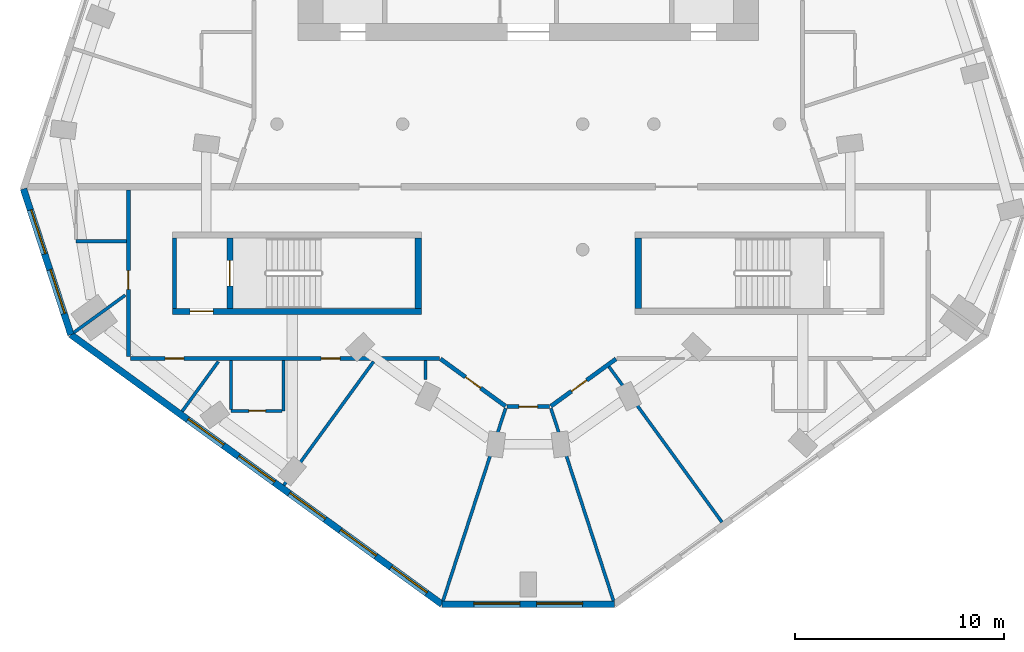
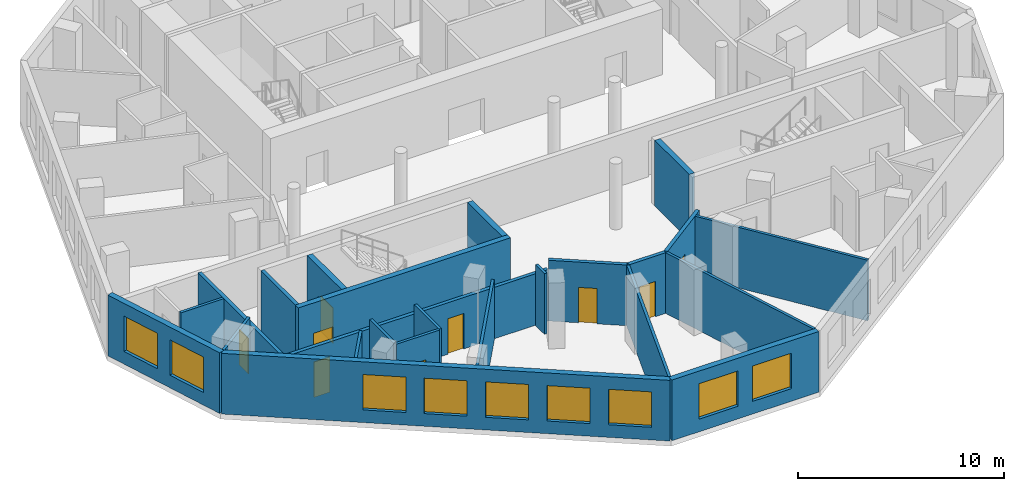
# One storey, part 2 of 9: 24 walls, 9 doors, 9 windows, 18 openings.
"""IFC4 building model written with IfcOpenShell, lengths in metres."""

import ifcopenshell
import ifcopenshell.guid

model = None  # the IFC model being written
_history = None  # IfcOwnerHistory: only IFC2X3 demands one
_inside = {}  # id of a spatial element -> (the spatial element, [elements in it])
_under = {}  # id of a project, library or spatial element -> (it, [spatial elements below it])
_declared = {}  # id of a project -> (the project, [libraries it declares])
_typed = {}  # id of a type object -> (the type object, [elements of that type])
_made_of = {}  # id of a material, layer set ... -> (it, [elements and type objects made of it])


def new_model(schema):
    """Start an empty IFC model of exactly this schema.

    Asked for "IFC4X3", IfcOpenShell would pick the latest addendum, in which some entities
    have other attributes; the version numbers below select the first issue.
    IFC2X3 requires an IfcOwnerHistory on every rooted entity: one is made here for all.
    """
    global model, _history
    if schema == "IFC4X3":
        model = ifcopenshell.file(schema_version=(4, 3, 0, 0))
    else:
        model = ifcopenshell.file(schema=schema)
    _inside.clear()
    _under.clear()
    _declared.clear()
    _typed.clear()
    _made_of.clear()
    _history = None
    if model.schema == "IFC2X3":
        org = make("IfcOrganization", Name="unknown")
        user = make(
            "IfcPersonAndOrganization",
            ThePerson=make("IfcPerson", FamilyName="unknown"),
            TheOrganization=org,
        )
        app = make(
            "IfcApplication",
            ApplicationDeveloper=org,
            Version="unknown",
            ApplicationFullName="unknown",
            ApplicationIdentifier="unknown",
        )
        _history = make(
            "IfcOwnerHistory",
            OwningUser=user,
            OwningApplication=app,
            ChangeAction="ADDED",
            CreationDate=0,
        )
    return model


def make(cls, **values):
    """One entity of the class cls with the attributes given. An attribute that is None is left unset."""
    return model.create_entity(
        cls, **{name: value for name, value in values.items() if value is not None}
    )


def rooted(cls, **values):
    """An entity with a GlobalId (a new one), such as an element, a storey or a relation."""
    return make(cls, GlobalId=ifcopenshell.guid.new(), OwnerHistory=_history, **values)


def si_unit(unit_type, name, prefix=None):
    """IfcSIUnit, for example si_unit("LENGTHUNIT", "METRE", prefix="MILLI")."""
    return make("IfcSIUnit", UnitType=unit_type, Prefix=prefix, Name=name)


def assignment(units):
    """IfcUnitAssignment: the units of a project."""
    return None if units is None else make("IfcUnitAssignment", Units=units)


def point(xyz):
    """IfcCartesianPoint."""
    return None if xyz is None else make("IfcCartesianPoint", Coordinates=xyz)


def direction(xyz):
    """IfcDirection."""
    return None if xyz is None else make("IfcDirection", DirectionRatios=xyz)


def frame(location, z_axis=None, x_axis=None):
    """IfcAxis2Placement3D, a coordinate frame: its origin and axes. An axis left out is left unset."""
    return make(
        "IfcAxis2Placement3D",
        Location=point(location),
        Axis=direction(z_axis),
        RefDirection=direction(x_axis),
    )


def frame_2d(location, x_axis=None):
    """IfcAxis2Placement2D, a coordinate frame in the plane: its origin and x axis."""
    return make(
        "IfcAxis2Placement2D", Location=point(location), RefDirection=direction(x_axis)
    )


def origin():
    """The frame at (0, 0, 0) with its axes left unset."""
    return frame((0.0, 0.0, 0.0))


def place(relative_to, where):
    """IfcLocalPlacement: puts the frame where relative to a parent placement (None: the world)."""
    return make(
        "IfcLocalPlacement", PlacementRelTo=relative_to, RelativePlacement=where
    )


def context(
    kind, dimensions, precision=None, world=None, true_north=None, identifier=None
):
    """IfcGeometricRepresentationContext, for example the 3D "Model" context."""
    return make(
        "IfcGeometricRepresentationContext",
        ContextIdentifier=identifier,
        ContextType=kind,
        CoordinateSpaceDimension=dimensions,
        Precision=precision,
        WorldCoordinateSystem=world,
        TrueNorth=true_north,
    )


def subcontext(parent, identifier, kind, view, scale=None):
    """IfcGeometricRepresentationSubContext, for example "Body" below "Model"."""
    return make(
        "IfcGeometricRepresentationSubContext",
        ContextIdentifier=identifier,
        ContextType=kind,
        ParentContext=parent,
        TargetScale=scale,
        TargetView=view,
    )


def project(units=None, contexts=None):
    """IfcProject with its units and contexts."""
    return rooted(
        "IfcProject",
        Name="project",
        RepresentationContexts=contexts,
        UnitsInContext=assignment(units),
    )


def spatial(cls, under=None, at=None, **own):
    """A site, building, storey or space (cls), placed at a placement, below another one or the project."""
    s = rooted(cls, ObjectPlacement=at, **own)
    if under is not None:
        _under.setdefault(under.id(), (under, []))[1].append(s)
    return s


def profile(cls, at=None, kind="AREA", **sizes):
    """A parametric profile (cls). Its sizes go by their IFC names, for example OverallWidth=200.0."""
    return make(cls, ProfileType=kind, Position=at, **sizes)


def rectangle(**sizes):
    """IfcRectangleProfileDef."""
    return profile("IfcRectangleProfileDef", **sizes)


def extrude(swept, where, along, depth):
    """IfcExtrudedAreaSolid: the profile swept, set in the frame where, extruded along a direction by depth."""
    return make(
        "IfcExtrudedAreaSolid",
        SweptArea=swept,
        Position=where,
        ExtrudedDirection=direction(along),
        Depth=depth,
    )


def shape(context_of_items, identifier, shape_type, items):
    """IfcShapeRepresentation: the items that make up one representation, for example the "Body"."""
    return make(
        "IfcShapeRepresentation",
        ContextOfItems=context_of_items,
        RepresentationIdentifier=identifier,
        RepresentationType=shape_type,
        Items=items,
    )


def material(Name=None, Category=None):
    """IfcMaterial."""
    return make("IfcMaterial", Name=Name, Category=Category)


def layer(
    of_material, thickness, ventilated=None, Name=None, Category=None, Priority=None
):
    """IfcMaterialLayer: one layer of a wall or slab, of a material (None: an air gap)."""
    return make(
        "IfcMaterialLayer",
        Material=of_material,
        LayerThickness=thickness,
        IsVentilated=ventilated,
        Name=Name,
        Category=Category,
        Priority=Priority,
    )


def layer_set(layers, Name=None):
    """IfcMaterialLayerSet."""
    return make("IfcMaterialLayerSet", MaterialLayers=layers, LayerSetName=Name)


def made_of(thing, what):
    """Note that an element or type object is made of a material, layer set ...; save() writes the relation."""
    if what is not None:
        _made_of.setdefault(what.id(), (what, []))[1].append(thing)
    return thing


def type_object(cls, material=None, **own):
    """A type object (cls), such as IfcWallType, which elements share."""
    return made_of(rooted(cls, **own), material)


def element(
    cls,
    number,
    at=None,
    inside=None,
    cuts=None,
    type_object=None,
    material=None,
    context=None,
    identifier="Body",
    shape_type=None,
    held_by="IfcProductDefinitionShape",
    body=None,
    shapes=None,
    **own,
):
    """One element of the class cls, such as IfcWall. Its Tag is "e" and its number.

    at: its placement. inside: the storey or other place that contains it. cuts: it is an
    opening in that element (IfcRelVoidsElement). A single representation is given by context,
    identifier, shape_type and body (its items); several are given by shapes. held_by: the class
    of the entity that holds the representations. save() writes the other relations.
    """
    e = rooted(cls, Tag="e%d" % number, ObjectPlacement=at, **own)
    if body is not None:
        shapes = [shape(context, identifier, shape_type, body)]
    if shapes is not None:
        e.Representation = make(held_by, Representations=shapes)
    if inside is not None:
        _inside.setdefault(inside.id(), (inside, []))[1].append(e)
    if cuts is not None:
        rooted(
            "IfcRelVoidsElement", RelatingBuildingElement=cuts, RelatedOpeningElement=e
        )
    if type_object is not None:
        _typed.setdefault(type_object.id(), (type_object, []))[1].append(e)
    return made_of(e, material)


def fill(opening, filler):
    """IfcRelFillsElement: the door or window that sits in an opening."""
    return rooted(
        "IfcRelFillsElement",
        RelatingOpeningElement=opening,
        RelatedBuildingElement=filler,
    )


def aggregate(whole, parts):
    """IfcRelAggregates: a whole, such as a stair, and the parts it consists of."""
    return rooted("IfcRelAggregates", RelatingObject=whole, RelatedObjects=parts)


def save(model, path):
    """Write the relations noted so far, then the file.

    IfcRelAggregates (storeys below a building ...), IfcRelContainedInSpatialStructure (elements
    in a storey), IfcRelDefinesByType, IfcRelAssociatesMaterial and IfcRelDeclares: one each for
    every whole, place, type object, material and project.
    """
    for whole, parts in _under.values():
        aggregate(whole, parts)
    for where, things in _inside.values():
        rooted(
            "IfcRelContainedInSpatialStructure",
            RelatedElements=things,
            RelatingStructure=where,
        )
    for kind, things in _typed.values():
        rooted("IfcRelDefinesByType", RelatedObjects=things, RelatingType=kind)
    for what, things in _made_of.values():
        rooted("IfcRelAssociatesMaterial", RelatedObjects=things, RelatingMaterial=what)
    for by, libraries in _declared.values():
        rooted("IfcRelDeclares", RelatingContext=by, RelatedDefinitions=libraries)
    model.write(path)


model = new_model("IFC4")

# Units and contexts
model_context = context("Model", 3, precision=1e-05, world=origin(), true_north=direction((0.0, 1.0)))
body_context = subcontext(model_context, "Body", "Model", "MODEL_VIEW")
ifc_project = project(units=[si_unit("LENGTHUNIT", "METRE"), si_unit("AREAUNIT", "SQUARE_METRE"), si_unit("VOLUMEUNIT", "CUBIC_METRE"), si_unit("PLANEANGLEUNIT", "RADIAN"), si_unit("MASSUNIT", "GRAM", prefix="KILO")], contexts=[model_context])

# Site, building, storey
site_placement = place(None, origin())
site = spatial("IfcSite", under=ifc_project, at=site_placement, CompositionType="ELEMENT")
building_placement = place(site_placement, origin())
building = spatial("IfcBuilding", under=site, at=building_placement, Name="White Candle Pilgrim Tower", CompositionType="ELEMENT")
storey_placement = place(building_placement, frame((0.0, 0.0, 239.39990234375)))
storey = spatial("IfcBuildingStorey", under=building, at=storey_placement, Name="L56", CompositionType="ELEMENT", Elevation=239.39990234375)

# Wall
ifc_material_1 = material(Name="Concrete C50/60", Category="concrete")
ifc_layer_1 = layer(ifc_material_1, 0.199951171875)
ifc_layer_set_1 = layer_set([ifc_layer_1], Name="Core wall 200 mm Concrete C50/60")
wall_type_1 = type_object("IfcWallType", Name="Core wall 200 mm Concrete C50/60", PredefinedType="SHEAR", material=ifc_layer_set_1)
wall_1_placement = place(storey_placement, frame((53.10009765625, 58.199951171875, 0.0), z_axis=(0.0, 0.0, 1.0), x_axis=(0.0, 1.0, 0.0)))
element("IfcWall", 1, at=wall_1_placement, inside=storey, type_object=wall_type_1, Name="WL-L56-C03", PredefinedType="SHEAR", context=body_context, shape_type="SweptSolid", body=[
    extrude(rectangle(XDim=3.35009765625, YDim=0.199951171875, at=frame_2d((1.675048828125, 0.0))), origin(), (0.0, 0.0, 1.0), 3.900146484375),
])

# Wall, opening, door
ifc_material_2 = material(Name="Gypsum board on steel studs", Category="steel")
ifc_layer_2 = layer(ifc_material_2, 0.199951171875)
ifc_layer_set_2 = layer_set([ifc_layer_2], Name="Corridor wall 200 mm EI 45")
wall_type_2 = type_object("IfcWallType", Name="Corridor wall 200 mm EI 45", PredefinedType="PARTITIONING", material=ifc_layer_set_2)
wall_2_placement = place(storey_placement, frame((74.18994140625, 55.781005859375, 0.0), z_axis=(0.0, 0.0, 1.0), x_axis=(-0.809008130168, -0.587797452633, 0.0)))
wall_2 = element("IfcWall", 2, at=wall_2_placement, inside=storey, type_object=wall_type_2, Name="WL-L56-P008", PredefinedType="PARTITIONING", context=body_context, shape_type="SweptSolid", body=[
    extrude(rectangle(XDim=3.8408203125, YDim=0.199951171875, at=frame_2d((1.92041015625, 0.0))), origin(), (0.0, 0.0, 1.0), 3.60009765625),
])
opening_1_placement = place(wall_2_placement, frame((1.730712890625, 0.0, 0.0)))
opening_1 = element("IfcOpeningElement", 3, at=opening_1_placement, cuts=wall_2, Name="Opening T17-110", PredefinedType="OPENING", context=body_context, shape_type="SweptSolid", body=[
    extrude(rectangle(XDim=0.89990234375, YDim=2.10009765625, at=frame_2d((0.449951171875, 1.050048828125))), frame((0.0, 0.10986328125, 0.0), z_axis=(0.0, -1.0, 0.0), x_axis=(1.0, 0.0, 0.0)), (0.0, 0.0, 1.0), 0.219970703125),
])
ifc_material_3 = material(Name="Steel door leaf", Category="steel")
door_type_1 = type_object("IfcDoorType", Name="Fire door 900 x 2100 EI 30", OperationType="NOTDEFINED", PredefinedType="DOOR", material=ifc_material_3)
door_1_placement = place(opening_1_placement, origin())
door_1 = element("IfcDoor", 4, at=door_1_placement, inside=storey, type_object=door_type_1, Name="Door T17-110", OperationType="SINGLE_SWING_RIGHT", OverallHeight=2.10009765625, OverallWidth=0.89990234375, PredefinedType="DOOR", context=body_context, shape_type="SweptSolid", body=[
    extrude(rectangle(XDim=0.89990234375, YDim=2.10009765625, at=frame_2d((0.449951171875, 1.050048828125))), frame((0.0, 0.02490234375, 0.0), z_axis=(0.0, -1.0, 0.0), x_axis=(1.0, 0.0, 0.0)), (0.0, 0.0, 1.0), 0.050048828125),
])
fill(opening_1, door_1)

wall_3_placement = place(storey_placement, frame((71.02392578125, 53.50439453125, 0.0), z_axis=(0.0, 0.0, 1.0), x_axis=(-1.0, 0.0, 0.0)))
wall_3 = element("IfcWall", 5, at=wall_3_placement, inside=storey, type_object=wall_type_2, Name="WL-L56-P009", PredefinedType="PARTITIONING", context=body_context, shape_type="SweptSolid", body=[
    extrude(rectangle(XDim=2.0478515625, YDim=0.199951171875, at=frame_2d((1.02392578125, 0.0))), origin(), (0.0, 0.0, 1.0), 3.60009765625),
])
opening_2_placement = place(wall_3_placement, frame((0.573974609375, 0.0, 0.0)))
opening_2 = element("IfcOpeningElement", 6, at=opening_2_placement, cuts=wall_3, Name="Opening T17-109", PredefinedType="OPENING", context=body_context, shape_type="SweptSolid", body=[
    extrude(rectangle(XDim=0.89990234375, YDim=2.10009765625, at=frame_2d((0.449951171875, 1.050048828125))), frame((0.0, 0.10986328125, 0.0), z_axis=(0.0, -1.0, 0.0), x_axis=(1.0, 0.0, 0.0)), (0.0, 0.0, 1.0), 0.219970703125),
])
door_2_placement = place(opening_2_placement, origin())
door_2 = element("IfcDoor", 7, at=door_2_placement, inside=storey, type_object=door_type_1, Name="Door T17-109", OperationType="SINGLE_SWING_LEFT", OverallHeight=2.10009765625, OverallWidth=0.89990234375, PredefinedType="DOOR", context=body_context, shape_type="SweptSolid", body=[
    extrude(rectangle(XDim=0.89990234375, YDim=2.10009765625, at=frame_2d((0.449951171875, 1.050048828125))), frame((0.0, 0.02490234375, 0.0), z_axis=(0.0, -1.0, 0.0), x_axis=(1.0, 0.0, 0.0)), (0.0, 0.0, 1.0), 0.050048828125),
])
fill(opening_2, door_2)

wall_4_placement = place(storey_placement, frame((68.917236328125, 53.5234375, 0.0), z_axis=(0.0, 0.0, 1.0), x_axis=(-0.809008130168, 0.587797452633, 0.0)))
wall_4 = element("IfcWall", 8, at=wall_4_placement, inside=storey, type_object=wall_type_2, Name="WL-L56-P010", PredefinedType="PARTITIONING", context=body_context, shape_type="SweptSolid", body=[
    extrude(rectangle(XDim=3.8408203125, YDim=0.199951171875, at=frame_2d((1.92041015625, 0.0))), origin(), (0.0, 0.0, 1.0), 3.60009765625),
])
opening_3_placement = place(wall_4_placement, frame((1.47021484375, 0.0, 0.0)))
opening_3 = element("IfcOpeningElement", 9, at=opening_3_placement, cuts=wall_4, Name="Opening T17-108", PredefinedType="OPENING", context=body_context, shape_type="SweptSolid", body=[
    extrude(rectangle(XDim=0.89990234375, YDim=2.10009765625, at=frame_2d((0.449951171875, 1.050048828125))), frame((0.0, 0.10986328125, 0.0), z_axis=(0.0, -1.0, 0.0), x_axis=(1.0, 0.0, 0.0)), (0.0, 0.0, 1.0), 0.219970703125),
])
door_3_placement = place(opening_3_placement, origin())
door_3 = element("IfcDoor", 10, at=door_3_placement, inside=storey, type_object=door_type_1, Name="Door T17-108", OperationType="SINGLE_SWING_RIGHT", OverallHeight=2.10009765625, OverallWidth=0.89990234375, PredefinedType="DOOR", context=body_context, shape_type="SweptSolid", body=[
    extrude(rectangle(XDim=0.89990234375, YDim=2.10009765625, at=frame_2d((0.449951171875, 1.050048828125))), frame((0.0, 0.02490234375, 0.0), z_axis=(0.0, -1.0, 0.0), x_axis=(1.0, 0.0, 0.0)), (0.0, 0.0, 1.0), 0.050048828125),
])
fill(opening_3, door_3)

# Wall, openings, doors
wall_5_placement = place(storey_placement, frame((65.751220703125, 55.800048828125, 0.0), z_axis=(0.0, 0.0, 1.0), x_axis=(-1.0, 0.0, 0.0)))
wall_5 = element("IfcWall", 11, at=wall_5_placement, inside=storey, type_object=wall_type_2, Name="WL-L56-P011", PredefinedType="PARTITIONING", context=body_context, shape_type="SweptSolid", body=[
    extrude(rectangle(XDim=14.751220703125, YDim=0.199951171875, at=frame_2d((7.37548828125, 0.0))), origin(), (0.0, 0.0, 1.0), 3.050048828125),
])
opening_4_placement = place(wall_5_placement, frame((12.19970703125, 0.0, 0.0)))
opening_4 = element("IfcOpeningElement", 12, at=opening_4_placement, cuts=wall_5, Name="Opening T17-105", PredefinedType="OPENING", context=body_context, shape_type="SweptSolid", body=[
    extrude(rectangle(XDim=0.89990234375, YDim=2.10009765625, at=frame_2d((0.449951171875, 1.050048828125))), frame((0.0, 0.10986328125, 0.0), z_axis=(0.0, -1.0, 0.0), x_axis=(1.0, 0.0, 0.0)), (0.0, 0.0, 1.0), 0.219970703125),
])
opening_5_placement = place(wall_5_placement, frame((4.739990234375, 0.0, 0.0)))
opening_5 = element("IfcOpeningElement", 13, at=opening_5_placement, cuts=wall_5, Name="Opening T17-107", PredefinedType="OPENING", context=body_context, shape_type="SweptSolid", body=[
    extrude(rectangle(XDim=0.89990234375, YDim=2.10009765625, at=frame_2d((0.449951171875, 1.050048828125))), frame((0.0, 0.10986328125, 0.0), z_axis=(0.0, -1.0, 0.0), x_axis=(1.0, 0.0, 0.0)), (0.0, 0.0, 1.0), 0.219970703125),
])
door_4_placement = place(opening_4_placement, origin())
door_4 = element("IfcDoor", 14, at=door_4_placement, inside=storey, type_object=door_type_1, Name="Door T17-105", OperationType="SINGLE_SWING_LEFT", OverallHeight=2.10009765625, OverallWidth=0.89990234375, PredefinedType="DOOR", context=body_context, shape_type="SweptSolid", body=[
    extrude(rectangle(XDim=0.89990234375, YDim=2.10009765625, at=frame_2d((0.449951171875, 1.050048828125))), frame((0.0, 0.02490234375, 0.0), z_axis=(0.0, -1.0, 0.0), x_axis=(1.0, 0.0, 0.0)), (0.0, 0.0, 1.0), 0.050048828125),
])
fill(opening_4, door_4)
door_5_placement = place(opening_5_placement, origin())
door_5 = element("IfcDoor", 15, at=door_5_placement, inside=storey, type_object=door_type_1, Name="Door T17-107", OperationType="SINGLE_SWING_LEFT", OverallHeight=2.10009765625, OverallWidth=0.89990234375, PredefinedType="DOOR", context=body_context, shape_type="SweptSolid", body=[
    extrude(rectangle(XDim=0.89990234375, YDim=2.10009765625, at=frame_2d((0.449951171875, 1.050048828125))), frame((0.0, 0.02490234375, 0.0), z_axis=(0.0, -1.0, 0.0), x_axis=(1.0, 0.0, 0.0)), (0.0, 0.0, 1.0), 0.050048828125),
])
fill(opening_5, door_5)

# Wall, opening, door
wall_6_placement = place(storey_placement, frame((50.89990234375, 55.89990234375, 0.0), z_axis=(0.0, 0.0, 1.0), x_axis=(0.0, 1.0, 0.0)))
wall_6 = element("IfcWall", 16, at=wall_6_placement, inside=storey, type_object=wall_type_2, Name="WL-L56-P012", PredefinedType="PARTITIONING", context=body_context, shape_type="SweptSolid", body=[
    extrude(rectangle(XDim=7.9501953125, YDim=0.199951171875, at=frame_2d((3.97509765625, 0.0))), origin(), (0.0, 0.0, 1.0), 3.150146484375),
])
opening_6_placement = place(wall_6_placement, frame((3.203369140625, 0.0, 0.0)))
opening_6 = element("IfcOpeningElement", 17, at=opening_6_placement, cuts=wall_6, Name="Opening T17-104", PredefinedType="OPENING", context=body_context, shape_type="SweptSolid", body=[
    extrude(rectangle(XDim=0.89990234375, YDim=2.10009765625, at=frame_2d((0.449951171875, 1.050048828125))), frame((0.0, 0.10986328125, 0.0), z_axis=(0.0, -1.0, 0.0), x_axis=(1.0, 0.0, 0.0)), (0.0, 0.0, 1.0), 0.219970703125),
])
door_6_placement = place(opening_6_placement, origin())
door_6 = element("IfcDoor", 18, at=door_6_placement, inside=storey, type_object=door_type_1, Name="Door T17-104", OperationType="SINGLE_SWING_RIGHT", OverallHeight=2.10009765625, OverallWidth=0.89990234375, PredefinedType="DOOR", context=body_context, shape_type="SweptSolid", body=[
    extrude(rectangle(XDim=0.89990234375, YDim=2.10009765625, at=frame_2d((0.449951171875, 1.050048828125))), frame((0.0, 0.02490234375, 0.0), z_axis=(0.0, -1.0, 0.0), x_axis=(1.0, 0.0, 0.0)), (0.0, 0.0, 1.0), 0.050048828125),
])
fill(opening_6, door_6)

# Wall, openings, windows
ifc_material_4 = material(Name="Precast concrete C40/50", Category="concrete")
ifc_layer_3 = layer(ifc_material_4, 0.320068359375)
ifc_layer_set_3 = layer_set([ifc_layer_3], Name="Facade wall EW1 precast concrete C40/50 pier wall with timber-lined reveals")
wall_type_3 = type_object("IfcWallType", Name="Facade wall EW1 precast concrete C40/50 pier wall with timber-lined reveals", PredefinedType="SOLIDWALL", material=ifc_layer_set_3)
wall_7_placement = place(storey_placement, frame((45.8935546875, 63.900390625, 0.0), z_axis=(0.0, 0.0, 1.0), x_axis=(0.309034031294, -0.951050980496, 0.0)))
wall_7 = element("IfcWall", 19, at=wall_7_placement, inside=storey, type_object=wall_type_3, Name="Facade wall L56 W chamfer", PredefinedType="SOLIDWALL", context=body_context, shape_type="SweptSolid", body=[
    extrude(rectangle(XDim=7.319580078125, YDim=0.320068359375, at=frame_2d((3.65966796875, 0.0))), origin(), (0.0, 0.0, 1.0), 3.60009765625),
])
opening_7_placement = place(wall_7_placement, frame((1.059814453125, 0.0, 0.75)))
opening_7 = element("IfcOpeningElement", 20, at=opening_7_placement, cuts=wall_7, Name="Opening W4", PredefinedType="OPENING", context=body_context, shape_type="SweptSolid", body=[
    extrude(rectangle(XDim=2.199951171875, YDim=2.10009765625, at=frame_2d((1.10009765625, 1.050048828125))), frame((0.0, 0.169921875, 0.0), z_axis=(0.0, -1.0, 0.0), x_axis=(1.0, 0.0, 0.0)), (0.0, 0.0, 1.0), 0.340087890625),
])
opening_8_placement = place(wall_7_placement, frame((4.059814453125, 0.0, 0.75)))
opening_8 = element("IfcOpeningElement", 21, at=opening_8_placement, cuts=wall_7, Name="Opening W4", PredefinedType="OPENING", context=body_context, shape_type="SweptSolid", body=[
    extrude(rectangle(XDim=2.199951171875, YDim=2.10009765625, at=frame_2d((1.10009765625, 1.050048828125))), frame((0.0, 0.169921875, 0.0), z_axis=(0.0, -1.0, 0.0), x_axis=(1.0, 0.0, 0.0)), (0.0, 0.0, 1.0), 0.340087890625),
])
ifc_material_5 = material(Name="Timber frame with triple glazing", Category="wood")
window_type_1 = type_object("IfcWindowType", Name="Window W4 2200x2100 timber frame triple glazing", PartitioningType="SINGLE_PANEL", PredefinedType="WINDOW", material=ifc_material_5)
window_1_placement = place(opening_7_placement, origin())
window_1 = element("IfcWindow", 22, at=window_1_placement, inside=storey, type_object=window_type_1, Name="Window W4 L56 W chamfer 1", OverallHeight=2.10009765625, OverallWidth=2.199951171875, PartitioningType="SINGLE_PANEL", PredefinedType="WINDOW", context=body_context, shape_type="SweptSolid", body=[
    extrude(rectangle(XDim=2.199951171875, YDim=2.10009765625, at=frame_2d((1.10009765625, 1.050048828125))), frame((0.0, 0.070068359375, 0.0), z_axis=(0.0, -1.0, 0.0), x_axis=(1.0, 0.0, 0.0)), (0.0, 0.0, 1.0), 0.06005859375),
])
fill(opening_7, window_1)
window_2_placement = place(opening_8_placement, origin())
window_2 = element("IfcWindow", 23, at=window_2_placement, inside=storey, type_object=window_type_1, Name="Window W4 L56 W chamfer 2", OverallHeight=2.10009765625, OverallWidth=2.199951171875, PartitioningType="SINGLE_PANEL", PredefinedType="WINDOW", context=body_context, shape_type="SweptSolid", body=[
    extrude(rectangle(XDim=2.199951171875, YDim=2.10009765625, at=frame_2d((1.10009765625, 1.050048828125))), frame((0.0, 0.070068359375, 0.0), z_axis=(0.0, -1.0, 0.0), x_axis=(1.0, 0.0, 0.0)), (0.0, 0.0, 1.0), 0.06005859375),
])
fill(opening_8, window_2)

wall_8_placement = place(storey_placement, frame((48.155517578125, 56.939208984375, 0.0), z_axis=(0.0, 0.0, 1.0), x_axis=(0.809013617361, -0.587789900325, 0.0)))
wall_8 = element("IfcWall", 24, at=wall_8_placement, inside=storey, type_object=wall_type_3, Name="Facade wall L56 SW", PredefinedType="SOLIDWALL", context=body_context, shape_type="SweptSolid", body=[
    extrude(rectangle(XDim=21.904052734375, YDim=0.320068359375, at=frame_2d((10.9521484375, 0.0))), origin(), (0.0, 0.0, 1.0), 3.60009765625),
])
opening_9_placement = place(wall_8_placement, frame((6.902099609375, 0.0, 0.75)))
opening_9 = element("IfcOpeningElement", 25, at=opening_9_placement, cuts=wall_8, Name="Opening W3", PredefinedType="OPENING", context=body_context, shape_type="SweptSolid", body=[
    extrude(rectangle(XDim=2.10009765625, YDim=2.10009765625, at=frame_2d((1.050048828125, 1.050048828125))), frame((0.0, 0.169921875, 0.0), z_axis=(0.0, -1.0, 0.0), x_axis=(1.0, 0.0, 0.0)), (0.0, 0.0, 1.0), 0.340087890625),
])
opening_10_placement = place(wall_8_placement, frame((9.902099609375, 0.0, 0.75)))
opening_10 = element("IfcOpeningElement", 26, at=opening_10_placement, cuts=wall_8, Name="Opening W3", PredefinedType="OPENING", context=body_context, shape_type="SweptSolid", body=[
    extrude(rectangle(XDim=2.10009765625, YDim=2.10009765625, at=frame_2d((1.050048828125, 1.050048828125))), frame((0.0, 0.169921875, 0.0), z_axis=(0.0, -1.0, 0.0), x_axis=(1.0, 0.0, 0.0)), (0.0, 0.0, 1.0), 0.340087890625),
])
opening_11_placement = place(wall_8_placement, frame((12.902099609375, 0.0, 0.75)))
opening_11 = element("IfcOpeningElement", 27, at=opening_11_placement, cuts=wall_8, Name="Opening W3", PredefinedType="OPENING", context=body_context, shape_type="SweptSolid", body=[
    extrude(rectangle(XDim=2.10009765625, YDim=2.10009765625, at=frame_2d((1.050048828125, 1.050048828125))), frame((0.0, 0.169921875, 0.0), z_axis=(0.0, -1.0, 0.0), x_axis=(1.0, 0.0, 0.0)), (0.0, 0.0, 1.0), 0.340087890625),
])
opening_12_placement = place(wall_8_placement, frame((15.902099609375, 0.0, 0.75)))
opening_12 = element("IfcOpeningElement", 28, at=opening_12_placement, cuts=wall_8, Name="Opening W3", PredefinedType="OPENING", context=body_context, shape_type="SweptSolid", body=[
    extrude(rectangle(XDim=2.10009765625, YDim=2.10009765625, at=frame_2d((1.050048828125, 1.050048828125))), frame((0.0, 0.169921875, 0.0), z_axis=(0.0, -1.0, 0.0), x_axis=(1.0, 0.0, 0.0)), (0.0, 0.0, 1.0), 0.340087890625),
])
opening_13_placement = place(wall_8_placement, frame((18.902099609375, 0.0, 0.75)))
opening_13 = element("IfcOpeningElement", 29, at=opening_13_placement, cuts=wall_8, Name="Opening W3", PredefinedType="OPENING", context=body_context, shape_type="SweptSolid", body=[
    extrude(rectangle(XDim=2.10009765625, YDim=2.10009765625, at=frame_2d((1.050048828125, 1.050048828125))), frame((0.0, 0.169921875, 0.0), z_axis=(0.0, -1.0, 0.0), x_axis=(1.0, 0.0, 0.0)), (0.0, 0.0, 1.0), 0.340087890625),
])
window_type_2 = type_object("IfcWindowType", Name="Window W3 2100x2100 timber frame triple glazing", PartitioningType="SINGLE_PANEL", PredefinedType="WINDOW", material=ifc_material_5)
window_3_placement = place(opening_9_placement, origin())
window_3 = element("IfcWindow", 30, at=window_3_placement, inside=storey, type_object=window_type_2, Name="Window W3 L56 SW 3", OverallHeight=2.10009765625, OverallWidth=2.10009765625, PartitioningType="SINGLE_PANEL", PredefinedType="WINDOW", context=body_context, shape_type="SweptSolid", body=[
    extrude(rectangle(XDim=2.10009765625, YDim=2.10009765625, at=frame_2d((1.050048828125, 1.050048828125))), frame((0.0, 0.070068359375, 0.0), z_axis=(0.0, -1.0, 0.0), x_axis=(1.0, 0.0, 0.0)), (0.0, 0.0, 1.0), 0.06005859375),
])
fill(opening_9, window_3)
window_4_placement = place(opening_10_placement, origin())
window_4 = element("IfcWindow", 31, at=window_4_placement, inside=storey, type_object=window_type_2, Name="Window W3 L56 SW 4", OverallHeight=2.10009765625, OverallWidth=2.10009765625, PartitioningType="SINGLE_PANEL", PredefinedType="WINDOW", context=body_context, shape_type="SweptSolid", body=[
    extrude(rectangle(XDim=2.10009765625, YDim=2.10009765625, at=frame_2d((1.050048828125, 1.050048828125))), frame((0.0, 0.070068359375, 0.0), z_axis=(0.0, -1.0, 0.0), x_axis=(1.0, 0.0, 0.0)), (0.0, 0.0, 1.0), 0.06005859375),
])
fill(opening_10, window_4)
window_5_placement = place(opening_11_placement, origin())
window_5 = element("IfcWindow", 32, at=window_5_placement, inside=storey, type_object=window_type_2, Name="Window W3 L56 SW 5", OverallHeight=2.10009765625, OverallWidth=2.10009765625, PartitioningType="SINGLE_PANEL", PredefinedType="WINDOW", context=body_context, shape_type="SweptSolid", body=[
    extrude(rectangle(XDim=2.10009765625, YDim=2.10009765625, at=frame_2d((1.050048828125, 1.050048828125))), frame((0.0, 0.070068359375, 0.0), z_axis=(0.0, -1.0, 0.0), x_axis=(1.0, 0.0, 0.0)), (0.0, 0.0, 1.0), 0.06005859375),
])
fill(opening_11, window_5)
window_6_placement = place(opening_12_placement, origin())
window_6 = element("IfcWindow", 33, at=window_6_placement, inside=storey, type_object=window_type_2, Name="Window W3 L56 SW 6", OverallHeight=2.10009765625, OverallWidth=2.10009765625, PartitioningType="SINGLE_PANEL", PredefinedType="WINDOW", context=body_context, shape_type="SweptSolid", body=[
    extrude(rectangle(XDim=2.10009765625, YDim=2.10009765625, at=frame_2d((1.050048828125, 1.050048828125))), frame((0.0, 0.070068359375, 0.0), z_axis=(0.0, -1.0, 0.0), x_axis=(1.0, 0.0, 0.0)), (0.0, 0.0, 1.0), 0.06005859375),
])
fill(opening_12, window_6)
window_7_placement = place(opening_13_placement, origin())
window_7 = element("IfcWindow", 34, at=window_7_placement, inside=storey, type_object=window_type_2, Name="Window W3 L56 SW 7", OverallHeight=2.10009765625, OverallWidth=2.10009765625, PartitioningType="SINGLE_PANEL", PredefinedType="WINDOW", context=body_context, shape_type="SweptSolid", body=[
    extrude(rectangle(XDim=2.10009765625, YDim=2.10009765625, at=frame_2d((1.050048828125, 1.050048828125))), frame((0.0, 0.070068359375, 0.0), z_axis=(0.0, -1.0, 0.0), x_axis=(1.0, 0.0, 0.0)), (0.0, 0.0, 1.0), 0.06005859375),
])
fill(opening_13, window_7)

wall_9_placement = place(storey_placement, frame((65.876220703125, 44.064208984375, 0.0), z_axis=(0.0, 0.0, 1.0), x_axis=(1.0, 0.0, 0.0)))
wall_9 = element("IfcWall", 35, at=wall_9_placement, inside=storey, type_object=wall_type_3, Name="Facade wall L56 S chamfer", PredefinedType="SOLIDWALL", context=body_context, shape_type="SweptSolid", body=[
    extrude(rectangle(XDim=8.24755859375, YDim=0.320068359375, at=frame_2d((4.123779296875, 0.0))), origin(), (0.0, 0.0, 1.0), 3.60009765625),
])
opening_14_placement = place(wall_9_placement, frame((1.523681640625, 0.0, 0.75)))
opening_14 = element("IfcOpeningElement", 36, at=opening_14_placement, cuts=wall_9, Name="Opening W4", PredefinedType="OPENING", context=body_context, shape_type="SweptSolid", body=[
    extrude(rectangle(XDim=2.199951171875, YDim=2.10009765625, at=frame_2d((1.10009765625, 1.050048828125))), frame((0.0, 0.169921875, 0.0), z_axis=(0.0, -1.0, 0.0), x_axis=(1.0, 0.0, 0.0)), (0.0, 0.0, 1.0), 0.340087890625),
])
opening_15_placement = place(wall_9_placement, frame((4.523681640625, 0.0, 0.75)))
opening_15 = element("IfcOpeningElement", 37, at=opening_15_placement, cuts=wall_9, Name="Opening W4", PredefinedType="OPENING", context=body_context, shape_type="SweptSolid", body=[
    extrude(rectangle(XDim=2.199951171875, YDim=2.10009765625, at=frame_2d((1.10009765625, 1.050048828125))), frame((0.0, 0.169921875, 0.0), z_axis=(0.0, -1.0, 0.0), x_axis=(1.0, 0.0, 0.0)), (0.0, 0.0, 1.0), 0.340087890625),
])
window_8_placement = place(opening_14_placement, origin())
window_8 = element("IfcWindow", 38, at=window_8_placement, inside=storey, type_object=window_type_1, Name="Window W4 L56 S chamfer 1", OverallHeight=2.10009765625, OverallWidth=2.199951171875, PartitioningType="SINGLE_PANEL", PredefinedType="WINDOW", context=body_context, shape_type="SweptSolid", body=[
    extrude(rectangle(XDim=2.199951171875, YDim=2.10009765625, at=frame_2d((1.10009765625, 1.050048828125))), frame((0.0, 0.070068359375, 0.0), z_axis=(0.0, -1.0, 0.0), x_axis=(1.0, 0.0, 0.0)), (0.0, 0.0, 1.0), 0.06005859375),
])
fill(opening_14, window_8)
window_9_placement = place(opening_15_placement, origin())
window_9 = element("IfcWindow", 39, at=window_9_placement, inside=storey, type_object=window_type_1, Name="Window W4 L56 S chamfer 2", OverallHeight=2.10009765625, OverallWidth=2.199951171875, PartitioningType="SINGLE_PANEL", PredefinedType="WINDOW", context=body_context, shape_type="SweptSolid", body=[
    extrude(rectangle(XDim=2.199951171875, YDim=2.10009765625, at=frame_2d((1.10009765625, 1.050048828125))), frame((0.0, 0.070068359375, 0.0), z_axis=(0.0, -1.0, 0.0), x_axis=(1.0, 0.0, 0.0)), (0.0, 0.0, 1.0), 0.06005859375),
])
fill(opening_15, window_9)

# Walls
ifc_layer_4 = layer(ifc_material_2, 0.14990234375)
ifc_layer_set_4 = layer_set([ifc_layer_4], Name="Partition 150 mm EI 60")
wall_type_4 = type_object("IfcWallType", Name="Partition 150 mm EI 60", PredefinedType="PARTITIONING", material=ifc_layer_set_4)
wall_10_placement = place(storey_placement, frame((48.29150390625, 57.0380859375, 0.0), z_axis=(0.0, 0.0, 1.0), x_axis=(0.809006333386, 0.587799925605, 0.0)))
element("IfcWall", 40, at=wall_10_placement, inside=storey, type_object=wall_type_4, Name="WL-L56-P014", PredefinedType="PARTITIONING", context=body_context, shape_type="SweptSolid", body=[
    extrude(rectangle(XDim=3.046142578125, YDim=0.14990234375, at=frame_2d((1.52294921875, 0.0))), origin(), (0.0, 0.0, 1.0), 3.60009765625),
])
for number, where, z_axis, x_axis, name in (
    (41, (65.92822265625, 44.224365234375, 0.0), (0.0, 0.0, 1.0), (0.309025002574, 0.951053914236, 0.0), "WL-L56-P015"),
    (42, (74.07177734375, 44.224365234375, 0.0), (0.0, 0.0, 1.0), (-0.309025002574, 0.951053914236, 0.0), "WL-L56-P016"),
):
    element("IfcWall", number, at=place(storey_placement, frame(where, z_axis=z_axis, x_axis=x_axis)), inside=storey, type_object=wall_type_4, Name=name, PredefinedType="PARTITIONING", context=body_context, shape_type="SweptSolid", body=[
        extrude(rectangle(XDim=9.67236328125, YDim=0.14990234375, at=frame_2d((4.836181640625, 0.0))), origin(), (0.0, 0.0, 1.0), 3.60009765625),
    ])
wall_11_placement = place(storey_placement, frame((50.800048828125, 61.400390625, 0.0), z_axis=(0.0, 0.0, 1.0), x_axis=(-1.0, 0.0, 0.0)))
element("IfcWall", 43, at=wall_11_placement, inside=storey, type_object=wall_type_4, Name="WL-L56-P026", PredefinedType="PARTITIONING", context=body_context, shape_type="SweptSolid", body=[
    extrude(rectangle(XDim=2.400146484375, YDim=0.14990234375, at=frame_2d((1.2001953125, 0.0))), origin(), (0.0, 0.0, 1.0), 3.150146484375),
])
wall_12_placement = place(storey_placement, frame((53.46923828125, 53.276123046875, 0.0), z_axis=(0.0, 0.0, 1.0), x_axis=(0.587766969839, 0.809030277039, 0.0)))
element("IfcWall", 44, at=wall_12_placement, inside=storey, type_object=wall_type_4, Name="WL-L56-P028", PredefinedType="PARTITIONING", context=body_context, shape_type="SweptSolid", body=[
    extrude(rectangle(XDim=2.941650390625, YDim=0.14990234375, at=frame_2d((1.470703125, 0.0))), origin(), (0.0, 0.0, 1.0), 3.150146484375),
])
wall_13_placement = place(storey_placement, frame((58.323486328125, 49.74951171875, 0.0), z_axis=(0.0, 0.0, 1.0), x_axis=(0.587779925433, 0.809020864538, 0.0)))
element("IfcWall", 45, at=wall_13_placement, inside=storey, type_object=wall_type_4, Name="WL-L56-P029", PredefinedType="PARTITIONING", context=body_context, shape_type="SweptSolid", body=[
    extrude(rectangle(XDim=7.30078125, YDim=0.14990234375, at=frame_2d((3.650390625, 0.0))), origin(), (0.0, 0.0, 1.0), 3.60009765625),
])
wall_14_placement = place(storey_placement, frame((58.302978515625, 55.699951171875, 0.0), z_axis=(0.0, 0.0, 1.0), x_axis=(0.0, -1.0, 0.0)))
element("IfcWall", 46, at=wall_14_placement, inside=storey, type_object=wall_type_4, Name="WL-L56-P030", PredefinedType="PARTITIONING", context=body_context, shape_type="SweptSolid", body=[
    extrude(rectangle(XDim=2.39990234375, YDim=0.14990234375, at=frame_2d((1.199951171875, 0.0))), origin(), (0.0, 0.0, 1.0), 3.60009765625),
])

# Wall, opening, door
wall_15_placement = place(storey_placement, frame((55.802978515625, 53.300048828125, 0.0), z_axis=(0.0, 0.0, 1.0), x_axis=(1.0, 0.0, 0.0)))
wall_15 = element("IfcWall", 47, at=wall_15_placement, inside=storey, type_object=wall_type_4, Name="WL-L56-P031", PredefinedType="PARTITIONING", context=body_context, shape_type="SweptSolid", body=[
    extrude(rectangle(XDim=2.4248046875, YDim=0.14990234375, at=frame_2d((1.21240234375, 0.0))), origin(), (0.0, 0.0, 1.0), 3.60009765625),
])
opening_16_placement = place(wall_15_placement, frame((0.85009765625, 0.0, 0.0)))
opening_16 = element("IfcOpeningElement", 48, at=opening_16_placement, cuts=wall_15, Name="Opening T17-106", PredefinedType="OPENING", context=body_context, shape_type="SweptSolid", body=[
    extrude(rectangle(XDim=0.800048828125, YDim=2.10009765625, at=frame_2d((0.39990234375, 1.050048828125))), frame((0.0, 0.0849609375, 0.0), z_axis=(0.0, -1.0, 0.0), x_axis=(1.0, 0.0, 0.0)), (0.0, 0.0, 1.0), 0.169921875),
])
door_type_2 = type_object("IfcDoorType", Name="Fire door 800 x 2100 EI 30", OperationType="NOTDEFINED", PredefinedType="DOOR", material=ifc_material_3)
door_7_placement = place(opening_16_placement, frame((0.800048828125, 0.0, 0.0), z_axis=(0.0, 0.0, 1.0), x_axis=(-1.0, 0.0, 0.0)))
door_7 = element("IfcDoor", 49, at=door_7_placement, inside=storey, type_object=door_type_2, Name="Door T17-106", OperationType="SINGLE_SWING_LEFT", OverallHeight=2.10009765625, OverallWidth=0.800048828125, PredefinedType="DOOR", context=body_context, shape_type="SweptSolid", body=[
    extrude(rectangle(XDim=0.800048828125, YDim=2.10009765625, at=frame_2d((0.39990234375, 1.050048828125))), frame((0.0, 0.02490234375, 0.0), z_axis=(0.0, -1.0, 0.0), x_axis=(1.0, 0.0, 0.0)), (0.0, 0.0, 1.0), 0.050048828125),
])
fill(opening_16, door_7)

# Walls
wall_16_placement = place(storey_placement, frame((55.802978515625, 55.699951171875, 0.0), z_axis=(0.0, 0.0, 1.0), x_axis=(0.0, -1.0, 0.0)))
element("IfcWall", 50, at=wall_16_placement, inside=storey, type_object=wall_type_4, Name="WL-L56-P032", PredefinedType="PARTITIONING", context=body_context, shape_type="SweptSolid", body=[
    extrude(rectangle(XDim=2.324951171875, YDim=0.14990234375, at=frame_2d((1.16259765625, 0.0))), origin(), (0.0, 0.0, 1.0), 3.60009765625),
])
wall_17_placement = place(storey_placement, frame((79.24951171875, 47.986083984375, 0.0), z_axis=(0.0, 0.0, 1.0), x_axis=(-0.587777877013, 0.809022352778, 0.0)))
element("IfcWall", 51, at=wall_17_placement, inside=storey, type_object=wall_type_4, Name="WL-L56-P033", PredefinedType="PARTITIONING", context=body_context, shape_type="SweptSolid", body=[
    extrude(rectangle(XDim=9.179931640625, YDim=0.14990234375, at=frame_2d((4.58984375, 0.0))), origin(), (0.0, 0.0, 1.0), 3.60009765625),
])
wall_18_placement = place(storey_placement, frame((65.095703125, 54.803955078125, 0.0), z_axis=(0.0, 0.0, 1.0), x_axis=(0.0, 1.0, 0.0)))
element("IfcWall", 52, at=wall_18_placement, inside=storey, type_object=wall_type_4, Name="WL-L56-P045", PredefinedType="PARTITIONING", context=body_context, shape_type="SweptSolid", body=[
    extrude(rectangle(XDim=0.89599609375, YDim=0.14990234375, at=frame_2d((0.447998046875, 0.0))), origin(), (0.0, 0.0, 1.0), 3.60009765625),
])

# Wall, opening, door
ifc_layer_5 = layer(ifc_material_1, 0.300048828125)
ifc_layer_set_5 = layer_set([ifc_layer_5], Name="Stair shaft wall 300 mm Concrete C50/60")
wall_type_5 = type_object("IfcWallType", Name="Stair shaft wall 300 mm Concrete C50/60", PredefinedType="SHEAR", material=ifc_layer_set_5)
wall_19_placement = place(storey_placement, frame((53.0, 58.050048828125, 0.0), z_axis=(0.0, 0.0, 1.0), x_axis=(1.0, 0.0, 0.0)))
wall_19 = element("IfcWall", 53, at=wall_19_placement, inside=storey, type_object=wall_type_5, Name="WL-L56-C01", PredefinedType="SHEAR", context=body_context, shape_type="SweptSolid", body=[
    extrude(rectangle(XDim=11.89990234375, YDim=0.300048828125, at=frame_2d((5.949951171875, 0.0))), origin(), (0.0, 0.0, 1.0), 3.900146484375),
])
opening_17_placement = place(wall_19_placement, frame((0.85009765625, 0.0, 0.0)))
opening_17 = element("IfcOpeningElement", 54, at=opening_17_placement, cuts=wall_19, Name="Opening T17-010", PredefinedType="OPENING", context=body_context, shape_type="SweptSolid", body=[
    extrude(rectangle(XDim=1.10009765625, YDim=2.10009765625, at=frame_2d((0.550048828125, 1.050048828125))), frame((0.0, 0.159912109375, 0.0), z_axis=(0.0, -1.0, 0.0), x_axis=(1.0, 0.0, 0.0)), (0.0, 0.0, 1.0), 0.320068359375),
])
door_type_3 = type_object("IfcDoorType", Name="Fire door 1100 x 2100 EI 60", OperationType="NOTDEFINED", PredefinedType="DOOR", material=ifc_material_3)
door_8_placement = place(opening_17_placement, origin())
door_8 = element("IfcDoor", 55, at=door_8_placement, inside=storey, type_object=door_type_3, Name="Door T17-010", OperationType="SINGLE_SWING_RIGHT", OverallHeight=2.10009765625, OverallWidth=1.10009765625, PredefinedType="DOOR", context=body_context, shape_type="SweptSolid", body=[
    extrude(rectangle(XDim=1.10009765625, YDim=2.10009765625, at=frame_2d((0.550048828125, 1.050048828125))), frame((0.0, 0.02490234375, 0.0), z_axis=(0.0, -1.0, 0.0), x_axis=(1.0, 0.0, 0.0)), (0.0, 0.0, 1.0), 0.050048828125),
])
fill(opening_17, door_8)

wall_20_placement = place(storey_placement, frame((55.75, 58.199951171875, 0.0), z_axis=(0.0, 0.0, 1.0), x_axis=(0.0, 1.0, 0.0)))
wall_20 = element("IfcWall", 56, at=wall_20_placement, inside=storey, type_object=wall_type_5, Name="WL-L56-C04", PredefinedType="SHEAR", context=body_context, shape_type="SweptSolid", body=[
    extrude(rectangle(XDim=3.35009765625, YDim=0.300048828125, at=frame_2d((1.675048828125, 0.0))), origin(), (0.0, 0.0, 1.0), 3.900146484375),
])
opening_18_placement = place(wall_20_placement, frame((1.074951171875, 0.0, 0.0)))
opening_18 = element("IfcOpeningElement", 57, at=opening_18_placement, cuts=wall_20, Name="Opening T17-011", PredefinedType="OPENING", context=body_context, shape_type="SweptSolid", body=[
    extrude(rectangle(XDim=1.199951171875, YDim=2.10009765625, at=frame_2d((0.60009765625, 1.050048828125))), frame((0.0, 0.159912109375, 0.0), z_axis=(0.0, -1.0, 0.0), x_axis=(1.0, 0.0, 0.0)), (0.0, 0.0, 1.0), 0.320068359375),
])
door_type_4 = type_object("IfcDoorType", Name="Fire door 1200 x 2100 EI 60", OperationType="NOTDEFINED", PredefinedType="DOOR", material=ifc_material_3)
door_9_placement = place(opening_18_placement, frame((1.199951171875, 0.0, 0.0), z_axis=(0.0, 0.0, 1.0), x_axis=(-1.0, 0.0, 0.0)))
door_9 = element("IfcDoor", 58, at=door_9_placement, inside=storey, type_object=door_type_4, Name="Door T17-011", OperationType="SINGLE_SWING_RIGHT", OverallHeight=2.10009765625, OverallWidth=1.199951171875, PredefinedType="DOOR", context=body_context, shape_type="SweptSolid", body=[
    extrude(rectangle(XDim=1.199951171875, YDim=2.10009765625, at=frame_2d((0.60009765625, 1.050048828125))), frame((0.0, 0.02490234375, 0.0), z_axis=(0.0, -1.0, 0.0), x_axis=(1.0, 0.0, 0.0)), (0.0, 0.0, 1.0), 0.050048828125),
])
fill(opening_18, door_9)

# Walls
for number, where, z_axis, x_axis, name in (
    (59, (64.75, 58.199951171875, 0.0), (0.0, 0.0, 1.0), (0.0, 1.0, 0.0), "WL-L56-C05"),
    (60, (75.25, 58.199951171875, 0.0), (0.0, 0.0, 1.0), (0.0, 1.0, 0.0), "WL-L56-C06"),
):
    element("IfcWall", number, at=place(storey_placement, frame(where, z_axis=z_axis, x_axis=x_axis)), inside=storey, type_object=wall_type_5, Name=name, PredefinedType="SHEAR", context=body_context, shape_type="SweptSolid", body=[
        extrude(rectangle(XDim=3.35009765625, YDim=0.300048828125, at=frame_2d((1.675048828125, 0.0))), origin(), (0.0, 0.0, 1.0), 3.900146484375),
    ])

save(model, "model.ifc")
